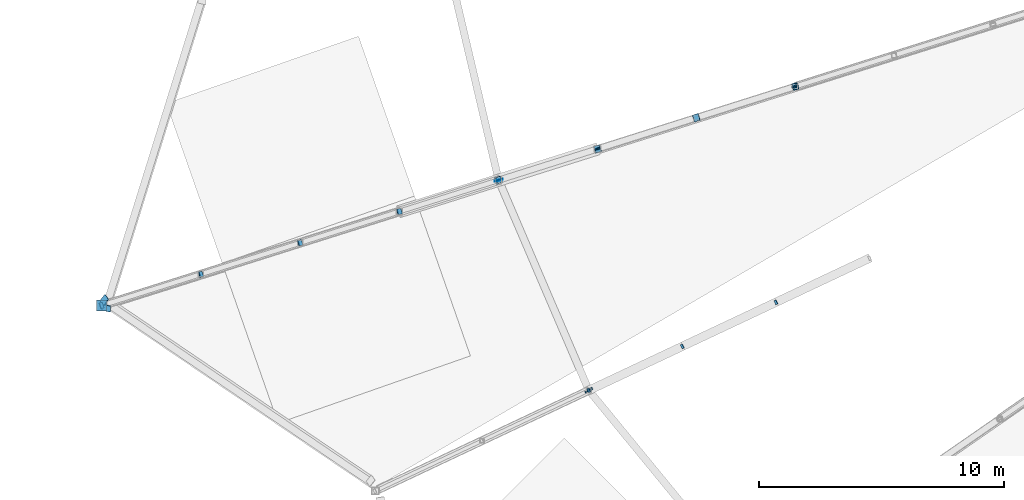
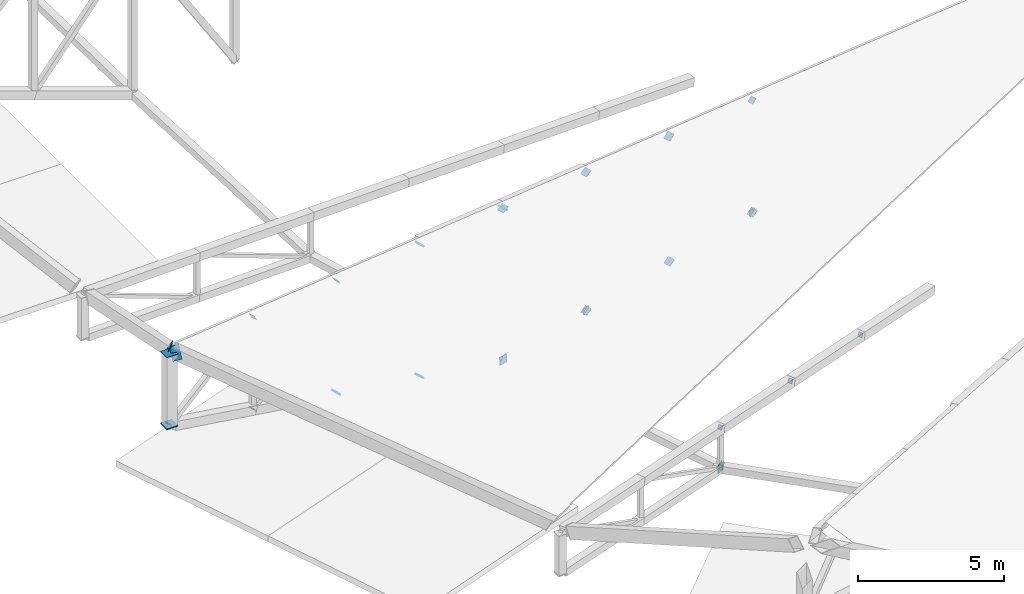
# One storey, part 123 of 188: 32 discrete accessories.
"""IFC4 building model written with IfcOpenShell, lengths in metres."""

import ifcopenshell
import ifcopenshell.guid

model = None  # the IFC model being written
_history = None  # IfcOwnerHistory: only IFC2X3 demands one
_inside = {}  # id of a spatial element -> (the spatial element, [elements in it])
_under = {}  # id of a project, library or spatial element -> (it, [spatial elements below it])
_declared = {}  # id of a project -> (the project, [libraries it declares])
_typed = {}  # id of a type object -> (the type object, [elements of that type])
_made_of = {}  # id of a material, layer set ... -> (it, [elements and type objects made of it])


def new_model(schema):
    """Start an empty IFC model of exactly this schema.

    Asked for "IFC4X3", IfcOpenShell would pick the latest addendum, in which some entities
    have other attributes; the version numbers below select the first issue.
    IFC2X3 requires an IfcOwnerHistory on every rooted entity: one is made here for all.
    """
    global model, _history
    if schema == "IFC4X3":
        model = ifcopenshell.file(schema_version=(4, 3, 0, 0))
    else:
        model = ifcopenshell.file(schema=schema)
    _inside.clear()
    _under.clear()
    _declared.clear()
    _typed.clear()
    _made_of.clear()
    _history = None
    if model.schema == "IFC2X3":
        org = make("IfcOrganization", Name="unknown")
        user = make(
            "IfcPersonAndOrganization",
            ThePerson=make("IfcPerson", FamilyName="unknown"),
            TheOrganization=org,
        )
        app = make(
            "IfcApplication",
            ApplicationDeveloper=org,
            Version="unknown",
            ApplicationFullName="unknown",
            ApplicationIdentifier="unknown",
        )
        _history = make(
            "IfcOwnerHistory",
            OwningUser=user,
            OwningApplication=app,
            ChangeAction="ADDED",
            CreationDate=0,
        )
    return model


def make(cls, **values):
    """One entity of the class cls with the attributes given. An attribute that is None is left unset."""
    return model.create_entity(
        cls, **{name: value for name, value in values.items() if value is not None}
    )


def rooted(cls, **values):
    """An entity with a GlobalId (a new one), such as an element, a storey or a relation."""
    return make(cls, GlobalId=ifcopenshell.guid.new(), OwnerHistory=_history, **values)


def si_unit(unit_type, name, prefix=None):
    """IfcSIUnit, for example si_unit("LENGTHUNIT", "METRE", prefix="MILLI")."""
    return make("IfcSIUnit", UnitType=unit_type, Prefix=prefix, Name=name)


def assignment(units):
    """IfcUnitAssignment: the units of a project."""
    return None if units is None else make("IfcUnitAssignment", Units=units)


def point(xyz):
    """IfcCartesianPoint."""
    return None if xyz is None else make("IfcCartesianPoint", Coordinates=xyz)


def direction(xyz):
    """IfcDirection."""
    return None if xyz is None else make("IfcDirection", DirectionRatios=xyz)


def frame(location, z_axis=None, x_axis=None):
    """IfcAxis2Placement3D, a coordinate frame: its origin and axes. An axis left out is left unset."""
    return make(
        "IfcAxis2Placement3D",
        Location=point(location),
        Axis=direction(z_axis),
        RefDirection=direction(x_axis),
    )


def frame_2d(location, x_axis=None):
    """IfcAxis2Placement2D, a coordinate frame in the plane: its origin and x axis."""
    return make(
        "IfcAxis2Placement2D", Location=point(location), RefDirection=direction(x_axis)
    )


def origin():
    """The frame at (0, 0, 0) with its axes left unset."""
    return frame((0.0, 0.0, 0.0))


def origin_2d():
    """The frame at (0, 0) in the plane with its x axis left unset."""
    return frame_2d((0.0, 0.0))


def place(relative_to, where):
    """IfcLocalPlacement: puts the frame where relative to a parent placement (None: the world)."""
    return make(
        "IfcLocalPlacement", PlacementRelTo=relative_to, RelativePlacement=where
    )


def context(
    kind, dimensions, precision=None, world=None, true_north=None, identifier=None
):
    """IfcGeometricRepresentationContext, for example the 3D "Model" context."""
    return make(
        "IfcGeometricRepresentationContext",
        ContextIdentifier=identifier,
        ContextType=kind,
        CoordinateSpaceDimension=dimensions,
        Precision=precision,
        WorldCoordinateSystem=world,
        TrueNorth=true_north,
    )


def subcontext(parent, identifier, kind, view, scale=None):
    """IfcGeometricRepresentationSubContext, for example "Body" below "Model"."""
    return make(
        "IfcGeometricRepresentationSubContext",
        ContextIdentifier=identifier,
        ContextType=kind,
        ParentContext=parent,
        TargetScale=scale,
        TargetView=view,
    )


def project(units=None, contexts=None):
    """IfcProject with its units and contexts."""
    return rooted(
        "IfcProject",
        Name="project",
        RepresentationContexts=contexts,
        UnitsInContext=assignment(units),
    )


def spatial(cls, under=None, at=None, **own):
    """A site, building, storey or space (cls), placed at a placement, below another one or the project."""
    s = rooted(cls, ObjectPlacement=at, **own)
    if under is not None:
        _under.setdefault(under.id(), (under, []))[1].append(s)
    return s


def profile(cls, at=None, kind="AREA", **sizes):
    """A parametric profile (cls). Its sizes go by their IFC names, for example OverallWidth=200.0."""
    return make(cls, ProfileType=kind, Position=at, **sizes)


def rectangle(**sizes):
    """IfcRectangleProfileDef."""
    return profile("IfcRectangleProfileDef", **sizes)


def extrude(swept, where, along, depth):
    """IfcExtrudedAreaSolid: the profile swept, set in the frame where, extruded along a direction by depth."""
    return make(
        "IfcExtrudedAreaSolid",
        SweptArea=swept,
        Position=where,
        ExtrudedDirection=direction(along),
        Depth=depth,
    )


def shape(context_of_items, identifier, shape_type, items):
    """IfcShapeRepresentation: the items that make up one representation, for example the "Body"."""
    return make(
        "IfcShapeRepresentation",
        ContextOfItems=context_of_items,
        RepresentationIdentifier=identifier,
        RepresentationType=shape_type,
        Items=items,
    )


def material(Name=None, Category=None):
    """IfcMaterial."""
    return make("IfcMaterial", Name=Name, Category=Category)


def material_profile(
    of_material, cross_section, Name=None, Category=None, Priority=None
):
    """IfcMaterialProfile: a cross section and its material."""
    return make(
        "IfcMaterialProfile",
        Name=Name,
        Material=of_material,
        Profile=cross_section,
        Priority=Priority,
        Category=Category,
    )


def profile_set(profiles, Name=None, composite=None):
    """IfcMaterialProfileSet."""
    return make(
        "IfcMaterialProfileSet",
        Name=Name,
        MaterialProfiles=profiles,
        CompositeProfile=composite,
    )


def made_of(thing, what):
    """Note that an element or type object is made of a material, layer set ...; save() writes the relation."""
    if what is not None:
        _made_of.setdefault(what.id(), (what, []))[1].append(thing)
    return thing


def type_object(cls, material=None, **own):
    """A type object (cls), such as IfcWallType, which elements share."""
    return made_of(rooted(cls, **own), material)


def element(
    cls,
    number,
    at=None,
    inside=None,
    cuts=None,
    type_object=None,
    material=None,
    context=None,
    identifier="Body",
    shape_type=None,
    held_by="IfcProductDefinitionShape",
    body=None,
    shapes=None,
    **own,
):
    """One element of the class cls, such as IfcWall. Its Tag is "e" and its number.

    at: its placement. inside: the storey or other place that contains it. cuts: it is an
    opening in that element (IfcRelVoidsElement). A single representation is given by context,
    identifier, shape_type and body (its items); several are given by shapes. held_by: the class
    of the entity that holds the representations. save() writes the other relations.
    """
    e = rooted(cls, Tag="e%d" % number, ObjectPlacement=at, **own)
    if body is not None:
        shapes = [shape(context, identifier, shape_type, body)]
    if shapes is not None:
        e.Representation = make(held_by, Representations=shapes)
    if inside is not None:
        _inside.setdefault(inside.id(), (inside, []))[1].append(e)
    if cuts is not None:
        rooted(
            "IfcRelVoidsElement", RelatingBuildingElement=cuts, RelatedOpeningElement=e
        )
    if type_object is not None:
        _typed.setdefault(type_object.id(), (type_object, []))[1].append(e)
    return made_of(e, material)


def aggregate(whole, parts):
    """IfcRelAggregates: a whole, such as a stair, and the parts it consists of."""
    return rooted("IfcRelAggregates", RelatingObject=whole, RelatedObjects=parts)


def save(model, path):
    """Write the relations noted so far, then the file.

    IfcRelAggregates (storeys below a building ...), IfcRelContainedInSpatialStructure (elements
    in a storey), IfcRelDefinesByType, IfcRelAssociatesMaterial and IfcRelDeclares: one each for
    every whole, place, type object, material and project.
    """
    for whole, parts in _under.values():
        aggregate(whole, parts)
    for where, things in _inside.values():
        rooted(
            "IfcRelContainedInSpatialStructure",
            RelatedElements=things,
            RelatingStructure=where,
        )
    for kind, things in _typed.values():
        rooted("IfcRelDefinesByType", RelatedObjects=things, RelatingType=kind)
    for what, things in _made_of.values():
        rooted("IfcRelAssociatesMaterial", RelatedObjects=things, RelatingMaterial=what)
    for by, libraries in _declared.values():
        rooted("IfcRelDeclares", RelatingContext=by, RelatedDefinitions=libraries)
    model.write(path)


model = new_model("IFC4")

# Units and contexts
model_context = context("Model", 3, precision=1e-05, world=origin(), true_north=direction((0.0, 1.0)))
body_context = subcontext(model_context, "Body", "Model", "MODEL_VIEW")
ifc_project = project(units=[si_unit("LENGTHUNIT", "METRE"), si_unit("AREAUNIT", "SQUARE_METRE"), si_unit("VOLUMEUNIT", "CUBIC_METRE"), si_unit("PLANEANGLEUNIT", "RADIAN"), si_unit("MASSUNIT", "GRAM", prefix="KILO")], contexts=[model_context])

# Site, building, storey
site_placement = place(None, origin())
site = spatial("IfcSite", under=ifc_project, at=site_placement, CompositionType="ELEMENT")
building_placement = place(site_placement, origin())
building = spatial("IfcBuilding", under=site, at=building_placement, Name="Meseta Stadium", CompositionType="ELEMENT")
storey_placement = place(building_placement, frame((0.0, 0.0, 30.0)))
storey = spatial("IfcBuildingStorey", under=building, at=storey_placement, Name="ROOF", CompositionType="ELEMENT", Elevation=30.0)

# Discrete accessories
ifc_material_1 = material(Name="Steel S355", Category="steel")
ifc_material_profile_1 = material_profile(ifc_material_1, rectangle(XDim=0.179931640625, YDim=0.179931640625, at=origin_2d()), Name="PL 180x180")
ifc_profile_set_1 = profile_set([ifc_material_profile_1], Name="Steel S355")
discrete_accessory_type_1 = type_object("IfcDiscreteAccessoryType", Name="End plate 180x180x20", PredefinedType="ANCHORPLATE", material=ifc_profile_set_1)
for number, where, z_axis, x_axis, name in (
    (1, (-70.81494140625, -68.16162109375, 1.4912109375), (-0.802672654344, -0.377012913404, 0.462144861592), (0.425136471467, -0.905129261834, 0.0), "End plate of ROOF TRUSS RT-39 diagonal"),
    (2, (-74.630126953125, -69.958740234375, 1.97802734375), (-0.802672654344, -0.377012913404, 0.462144861592), (0.425136471467, -0.905129261834, 0.0), "End plate of ROOF TRUSS RT-39 diagonal"),
    (3, (-78.4453125, -71.756103515625, 2.465087890625), (-0.807162077407, -0.379121581812, 0.452499952486), (0.425136471467, -0.905129261834, 0.0), "End plate of ROOF TRUSS RT-39 diagonal"),
    (4, (-78.428955078125, -71.748291015625, 0.77685546875), (-0.816223885151, -0.389838273505, 0.426385611646), (0.430978873925, -0.90236201728, 0.0), "End plate of ROOF TRUSS RT-39 diagonal"),
):
    element("IfcDiscreteAccessory", number, at=place(storey_placement, frame(where, z_axis=z_axis, x_axis=x_axis)), inside=storey, type_object=discrete_accessory_type_1, Name=name, PredefinedType="ANCHORPLATE", context=body_context, shape_type="SweptSolid", body=[
        extrude(rectangle(XDim=0.179931640625, YDim=0.179931640625, at=origin_2d()), origin(), (0.0, 0.0, 1.0), 0.02001953125),
    ])
ifc_material_2 = material(Name="Steel S355", Category="steel")
ifc_material_profile_2 = material_profile(ifc_material_2, rectangle(XDim=0.239990234375, YDim=0.239990234375, at=origin_2d()), Name="PL 240x240")
ifc_profile_set_2 = profile_set([ifc_material_profile_2], Name="Steel S355")
discrete_accessory_type_2 = type_object("IfcDiscreteAccessoryType", Name="End plate 240x240x20", PredefinedType="ANCHORPLATE", material=ifc_profile_set_2)
for number, where, z_axis, x_axis, name in (
    (5, (-70.041015625, -59.377197265625, 5.71826171875), (-0.63040723846, -0.193971457988, 0.751639399702), (0.294085848838, -0.955779008722, 0.0), "End plate of ROOF TRUSS RT-38 diagonal"),
    (6, (-82.107177734375, -63.187255859375, 7.74560546875), (-0.63040723846, -0.193971457988, -0.751639399702), (0.294085848838, -0.955779008722, 0.0), "End plate of ROOF TRUSS RT-38 diagonal"),
    (7, (-86.16259765625, -64.4677734375, 2.904052734375), (-0.63040723846, -0.193971457988, -0.751639399702), (0.294085848838, -0.955779008722, 0.0), "End plate of ROOF TRUSS RT-38 diagonal"),
    (8, (-86.148681640625, -64.46337890625, 8.417724609375), (-0.695898595108, -0.219757451087, -0.683689847825), (0.301131367937, -0.953582665134, 0.0), "End plate of ROOF TRUSS RT-38 diagonal"),
    (9, (-90.20556640625, -65.744384765625, 4.410888671875), (-0.695898595108, -0.219757451087, -0.683689847825), (0.301131367937, -0.953582665134, 0.0), "End plate of ROOF TRUSS RT-38 diagonal"),
    (10, (-90.190185546875, -65.739501953125, 9.08935546875), (-0.771223025002, -0.24483270635, -0.58759849524), (0.302579132427, -0.953124267145, 0.0), "End plate of ROOF TRUSS RT-38 diagonal"),
    (11, (-94.248291015625, -67.02099609375, 5.917724609375), (-0.767893080509, -0.231586802058, -0.597250173729), (0.28874179552, -0.957407006199, 0.0), "End plate of ROOF TRUSS RT-38 diagonal"),
    (12, (-94.231689453125, -67.015625, 9.7607421875), (-0.830256693859, -0.268612459778, -0.488386290506), (0.307820285415, -0.951444518554, 0.0), "End plate of ROOF TRUSS RT-38 diagonal"),
):
    element("IfcDiscreteAccessory", number, at=place(storey_placement, frame(where, z_axis=z_axis, x_axis=x_axis)), inside=storey, type_object=discrete_accessory_type_2, Name=name, PredefinedType="ANCHORPLATE", context=body_context, shape_type="SweptSolid", body=[
        extrude(rectangle(XDim=0.239990234375, YDim=0.239990234375, at=origin_2d()), origin(), (0.0, 0.0, 1.0), 0.02001953125),
    ])
discrete_accessory_1_placement = place(storey_placement, frame((-98.291015625, -68.29736328125, 7.424560546875), z_axis=(-0.833992921338, -0.265910786513, -0.483474157297), x_axis=(0.303773534633, -0.952744267711, 0.0)))
element("IfcDiscreteAccessory", 13, at=discrete_accessory_1_placement, inside=storey, type_object=discrete_accessory_type_2, Name="End plate of ROOF TRUSS RT-38 diagonal", PredefinedType="ANCHORPLATE", context=body_context, shape_type="SweptSolid", body=[
    extrude(rectangle(XDim=0.239990234375, YDim=0.239990234375, at=origin_2d()), origin(), (0.0, 0.0, 1.0), 0.020263671875),
])
ifc_material_3 = material(Name="Steel S355", Category="steel")
ifc_material_profile_3 = material_profile(ifc_material_3, rectangle(XDim=0.260009765625, YDim=0.260009765625, at=origin_2d()), Name="PL 260x260")
ifc_profile_set_3 = profile_set([ifc_material_profile_3], Name="Steel S355")
discrete_accessory_type_3 = type_object("IfcDiscreteAccessoryType", Name="End plate 260x260x20", PredefinedType="ANCHORPLATE", material=ifc_profile_set_3)
discrete_accessory_2_placement = place(storey_placement, frame((-70.041015625, -59.377197265625, 1.029541015625), z_axis=(0.220498180898, -0.955492117223, 0.19599838302), x_axis=(0.974391195695, 0.224859506699, 0.0)))
element("IfcDiscreteAccessory", 14, at=discrete_accessory_2_placement, inside=storey, type_object=discrete_accessory_type_3, Name="End plate of ROOF TRUSS STRUT RT-37/38", PredefinedType="ANCHORPLATE", context=body_context, shape_type="SweptSolid", body=[
    extrude(rectangle(XDim=0.260009765625, YDim=0.260009765625, at=origin_2d()), origin(), (0.0, 0.0, 1.0), 0.02001953125),
])
discrete_accessory_3_placement = place(storey_placement, frame((-78.093505859375, -61.919921875, 1.274658203125), z_axis=(0.221079511147, -0.970293410033, 0.09825756051), x_axis=(0.975011472973, 0.222154512829, 0.0)))
element("IfcDiscreteAccessory", 15, at=discrete_accessory_3_placement, inside=storey, type_object=discrete_accessory_type_3, Name="End plate of ROOF TRUSS STRUT RT-37/38", PredefinedType="ANCHORPLATE", context=body_context, shape_type="SweptSolid", body=[
    extrude(rectangle(XDim=0.260009765625, YDim=0.260009765625, at=origin_2d()), origin(), (0.0, 0.0, 1.0), 0.019775390625),
])
for number, where, z_axis, x_axis, name in (
    (16, (-70.048828125, -59.359375, 1.033935546875), (0.391614974756, -0.893371661161, -0.2202834233), (0.915869154004, 0.401476889427, 0.0), "End plate of ROOF TRUSS STRUT RT-38/39"),
    (17, (-78.101318359375, -61.901611328125, 1.27685546875), (0.390069906487, -0.914226343328, -0.109707161199), (0.919778168081, 0.392438685048, 0.0), "End plate of ROOF TRUSS STRUT RT-38/39"),
):
    element("IfcDiscreteAccessory", number, at=place(storey_placement, frame(where, z_axis=z_axis, x_axis=x_axis)), inside=storey, type_object=discrete_accessory_type_3, Name=name, PredefinedType="ANCHORPLATE", context=body_context, shape_type="SweptSolid", body=[
        extrude(rectangle(XDim=0.260009765625, YDim=0.260009765625, at=origin_2d()), origin(), (0.0, 0.0, 1.0), 0.02001953125),
    ])
ifc_material_4 = material(Name="Steel S355", Category="steel")
ifc_material_profile_4 = material_profile(ifc_material_4, rectangle(XDim=0.2900390625, YDim=0.2900390625, at=origin_2d()), Name="PL 290x290")
ifc_profile_set_4 = profile_set([ifc_material_profile_4], Name="Steel S355")
discrete_accessory_type_4 = type_object("IfcDiscreteAccessoryType", Name="End plate 290x290x20", PredefinedType="ANCHORPLATE", material=ifc_profile_set_4)
for number, where, z_axis, x_axis, name in (
    (18, (-70.029296875, -59.37353515625, 1.013671875), (-0.584064364195, -0.182520113811, 0.79092049318), (0.298274993136, -0.954479978035, 0.0), "End plate of ROOF TRUSS RT-38 diagonal"),
    (19, (-74.0673828125, -60.6484375, 6.38916015625), (-0.588348405415, -0.196116135138, 0.784464540553), (0.316227766017, -0.948683298051, 0.0), "End plate of ROOF TRUSS RT-38 diagonal"),
    (20, (-74.05615234375, -60.64501953125, 1.1357421875), (-0.557790925053, -0.169762455451, 0.812434608229), (0.291161615783, -0.956673880429, 0.0), "End plate of ROOF TRUSS RT-38 diagonal"),
    (21, (-78.093505859375, -61.919921875, 7.059814453125), (-0.557790925053, -0.169762455451, 0.812434608229), (0.291161615783, -0.956673880429, 0.0), "End plate of ROOF TRUSS RT-38 diagonal"),
    (22, (-78.0830078125, -61.91650390625, 1.2578125), (-0.521221693783, -0.169700086348, 0.836378997001), (0.309586047461, -0.950871431487, 0.0), "End plate of ROOF TRUSS RT-38 diagonal"),
    (23, (-82.119873046875, -63.191162109375, 7.73046875), (-0.521221693783, -0.169700086348, 0.836378997001), (0.309586047461, -0.950871431487, 0.0), "End plate of ROOF TRUSS RT-38 diagonal"),
):
    element("IfcDiscreteAccessory", number, at=place(storey_placement, frame(where, z_axis=z_axis, x_axis=x_axis)), inside=storey, type_object=discrete_accessory_type_4, Name=name, PredefinedType="ANCHORPLATE", context=body_context, shape_type="SweptSolid", body=[
        extrude(rectangle(XDim=0.2900390625, YDim=0.2900390625, at=origin_2d()), origin(), (0.0, 0.0, 1.0), 0.02001953125),
    ])
ifc_material_5 = material(Name="Steel S355", Category="steel")
ifc_material_profile_5 = material_profile(ifc_material_5, rectangle(XDim=0.340087890625, YDim=0.340087890625, at=origin_2d()), Name="PL 340x340")
ifc_profile_set_5 = profile_set([ifc_material_profile_5], Name="Steel S355")
discrete_accessory_type_5 = type_object("IfcDiscreteAccessoryType", Name="End plate 340x340x20", PredefinedType="ANCHORPLATE", material=ifc_profile_set_5)
for number, where, z_axis, x_axis, name in (
    (24, (-82.119873046875, -63.191162109375, 1.397216796875), (0.230646396231, -0.971142720972, 0.060696420061), (0.97293655072, 0.231072430796, 0.0), "End plate of ROOF PIVOT STRUT RT-37/38"),
    (25, (-82.127685546875, -63.1728515625, 1.3984375), (0.391702981418, -0.918053862699, -0.061203590847), (0.919778168081, 0.392438685048, 0.0), "End plate of ROOF PIVOT STRUT RT-38/39"),
    (26, (-78.4453125, -71.756103515625, 0.785400390625), (0.391702981418, -0.918053862699, -0.061203590847), (0.919778168081, 0.392438685048, 0.0), "End plate of ROOF PIVOT STRUT RT-38/39"),
):
    element("IfcDiscreteAccessory", number, at=place(storey_placement, frame(where, z_axis=z_axis, x_axis=x_axis)), inside=storey, type_object=discrete_accessory_type_5, Name=name, PredefinedType="ANCHORPLATE", context=body_context, shape_type="SweptSolid", body=[
        extrude(rectangle(XDim=0.340087890625, YDim=0.340087890625, at=origin_2d()), origin(), (0.0, 0.0, 1.0), 0.02001953125),
    ])
discrete_accessory_4_placement = place(storey_placement, frame((-78.4580078125, -71.740478515625, 0.783935546875), z_axis=(0.628930007985, -0.774067702136, 0.072568847075), x_axis=(0.776114000116, 0.630592625094, 0.0)))
element("IfcDiscreteAccessory", 27, at=discrete_accessory_4_placement, inside=storey, type_object=discrete_accessory_type_5, Name="End plate of ROOF PIVOT STRUT RT-39/40", PredefinedType="ANCHORPLATE", context=body_context, shape_type="SweptSolid", body=[
    extrude(rectangle(XDim=0.340087890625, YDim=0.340087890625, at=origin_2d()), origin(), (0.0, 0.0, 1.0), 0.020263671875),
])
ifc_material_6 = material(Name="Steel S355", Category="steel")
ifc_material_profile_6 = material_profile(ifc_material_6, rectangle(XDim=0.340087890625, YDim=0.5400390625, at=origin_2d()), Name="PL 340x540")
ifc_profile_set_6 = profile_set([ifc_material_profile_6], Name="Steel S355")
discrete_accessory_type_6 = type_object("IfcDiscreteAccessoryType", Name="End plate 340x540x20", PredefinedType="ANCHORPLATE", material=ifc_profile_set_6)
for number, where, z_axis, x_axis, name in (
    (28, (-98.097900390625, -68.392333984375, 10.424072265625), (-0.267715986725, -0.851823594126, 0.450249614038), (0.963205060165, -0.24813445791, 0.103272953241), "End plate of RIM RING BEAM 38"),
    (29, (-98.192138671875, -68.0712890625, 10.44482421875), (0.745344864379, -0.500969499009, -0.439875657666), (0.612557151797, 0.775024273699, 0.155277528832), "End plate of RIM RING BEAM 39"),
):
    element("IfcDiscreteAccessory", number, at=place(storey_placement, frame(where, z_axis=z_axis, x_axis=x_axis)), inside=storey, type_object=discrete_accessory_type_6, Name=name, PredefinedType="ANCHORPLATE", context=body_context, shape_type="SweptSolid", body=[
        extrude(rectangle(XDim=0.340087890625, YDim=0.5400390625, at=origin_2d()), origin(), (0.0, 0.0, 1.0), 0.02001953125),
    ])
ifc_material_7 = material(Name="Steel S355", Category="steel")
ifc_material_profile_7 = material_profile(ifc_material_7, rectangle(XDim=0.43994140625, YDim=0.43994140625, at=origin_2d()), Name="PL 440x440")
ifc_profile_set_7 = profile_set([ifc_material_profile_7], Name="Steel S355")
discrete_accessory_type_7 = type_object("IfcDiscreteAccessoryType", Name="End plate 440x440x20", PredefinedType="ANCHORPLATE", material=ifc_profile_set_7)
for number, where, z_axis, x_axis, name in (
    (30, (-98.291015625, -68.29736328125, 7.404541015625), (0.0, 0.0, 1.0), (1.0, 0.0, 0.0), "End plate of ROOF TRUSS RT-38 post"),
    (31, (-98.291015625, -68.29736328125, 10.424560546875), (0.0, 0.0, 1.0), (1.0, 0.0, 0.0), "End plate of ROOF TRUSS RT-38 post"),
    (32, (-98.291015625, -68.29736328125, 7.424560546875), (0.0, 0.0, 1.0), (1.0, 0.0, 0.0), "End plate of ROOF RIM POST RT-38"),
):
    element("IfcDiscreteAccessory", number, at=place(storey_placement, frame(where, z_axis=z_axis, x_axis=x_axis)), inside=storey, type_object=discrete_accessory_type_7, Name=name, PredefinedType="ANCHORPLATE", context=body_context, shape_type="SweptSolid", body=[
        extrude(rectangle(XDim=0.43994140625, YDim=0.43994140625, at=origin_2d()), origin(), (0.0, 0.0, 1.0), 0.02001953125),
    ])

save(model, "model.ifc")
